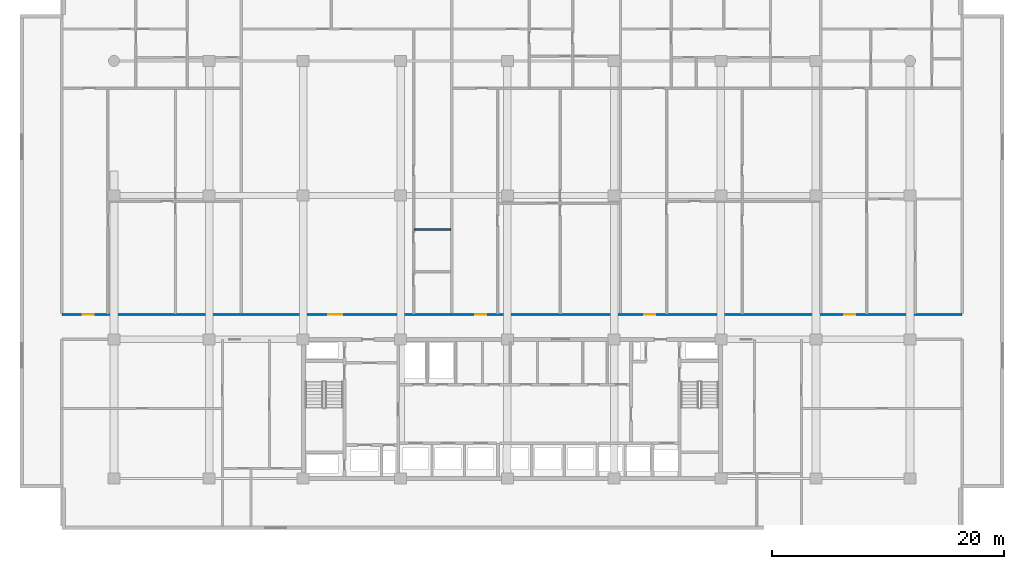
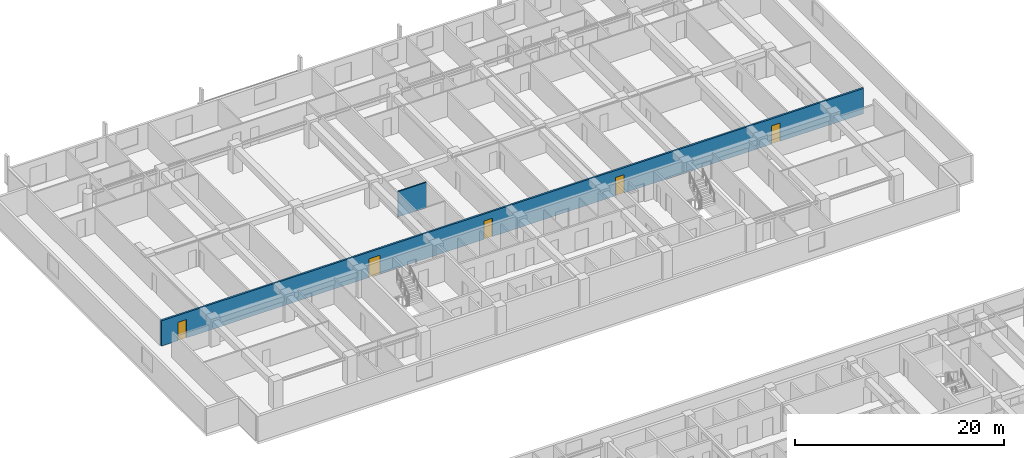
# One storey, part 12 of 23: 5 doors, 2 walls, 5 openings.
"""IFC4 building model written with IfcOpenShell, lengths in metres."""

import ifcopenshell
import ifcopenshell.guid

model = None  # the IFC model being written
_history = None  # IfcOwnerHistory: only IFC2X3 demands one
_inside = {}  # id of a spatial element -> (the spatial element, [elements in it])
_under = {}  # id of a project, library or spatial element -> (it, [spatial elements below it])
_declared = {}  # id of a project -> (the project, [libraries it declares])
_typed = {}  # id of a type object -> (the type object, [elements of that type])
_made_of = {}  # id of a material, layer set ... -> (it, [elements and type objects made of it])


def new_model(schema):
    """Start an empty IFC model of exactly this schema.

    Asked for "IFC4X3", IfcOpenShell would pick the latest addendum, in which some entities
    have other attributes; the version numbers below select the first issue.
    IFC2X3 requires an IfcOwnerHistory on every rooted entity: one is made here for all.
    """
    global model, _history
    if schema == "IFC4X3":
        model = ifcopenshell.file(schema_version=(4, 3, 0, 0))
    else:
        model = ifcopenshell.file(schema=schema)
    _inside.clear()
    _under.clear()
    _declared.clear()
    _typed.clear()
    _made_of.clear()
    _history = None
    if model.schema == "IFC2X3":
        org = make("IfcOrganization", Name="unknown")
        user = make(
            "IfcPersonAndOrganization",
            ThePerson=make("IfcPerson", FamilyName="unknown"),
            TheOrganization=org,
        )
        app = make(
            "IfcApplication",
            ApplicationDeveloper=org,
            Version="unknown",
            ApplicationFullName="unknown",
            ApplicationIdentifier="unknown",
        )
        _history = make(
            "IfcOwnerHistory",
            OwningUser=user,
            OwningApplication=app,
            ChangeAction="ADDED",
            CreationDate=0,
        )
    return model


def make(cls, **values):
    """One entity of the class cls with the attributes given. An attribute that is None is left unset."""
    return model.create_entity(
        cls, **{name: value for name, value in values.items() if value is not None}
    )


def rooted(cls, **values):
    """An entity with a GlobalId (a new one), such as an element, a storey or a relation."""
    return make(cls, GlobalId=ifcopenshell.guid.new(), OwnerHistory=_history, **values)


def si_unit(unit_type, name, prefix=None):
    """IfcSIUnit, for example si_unit("LENGTHUNIT", "METRE", prefix="MILLI")."""
    return make("IfcSIUnit", UnitType=unit_type, Prefix=prefix, Name=name)


def assignment(units):
    """IfcUnitAssignment: the units of a project."""
    return None if units is None else make("IfcUnitAssignment", Units=units)


def point(xyz):
    """IfcCartesianPoint."""
    return None if xyz is None else make("IfcCartesianPoint", Coordinates=xyz)


def direction(xyz):
    """IfcDirection."""
    return None if xyz is None else make("IfcDirection", DirectionRatios=xyz)


def frame(location, z_axis=None, x_axis=None):
    """IfcAxis2Placement3D, a coordinate frame: its origin and axes. An axis left out is left unset."""
    return make(
        "IfcAxis2Placement3D",
        Location=point(location),
        Axis=direction(z_axis),
        RefDirection=direction(x_axis),
    )


def frame_2d(location, x_axis=None):
    """IfcAxis2Placement2D, a coordinate frame in the plane: its origin and x axis."""
    return make(
        "IfcAxis2Placement2D", Location=point(location), RefDirection=direction(x_axis)
    )


def origin():
    """The frame at (0, 0, 0) with its axes left unset."""
    return frame((0.0, 0.0, 0.0))


def place(relative_to, where):
    """IfcLocalPlacement: puts the frame where relative to a parent placement (None: the world)."""
    return make(
        "IfcLocalPlacement", PlacementRelTo=relative_to, RelativePlacement=where
    )


def context(
    kind, dimensions, precision=None, world=None, true_north=None, identifier=None
):
    """IfcGeometricRepresentationContext, for example the 3D "Model" context."""
    return make(
        "IfcGeometricRepresentationContext",
        ContextIdentifier=identifier,
        ContextType=kind,
        CoordinateSpaceDimension=dimensions,
        Precision=precision,
        WorldCoordinateSystem=world,
        TrueNorth=true_north,
    )


def subcontext(parent, identifier, kind, view, scale=None):
    """IfcGeometricRepresentationSubContext, for example "Body" below "Model"."""
    return make(
        "IfcGeometricRepresentationSubContext",
        ContextIdentifier=identifier,
        ContextType=kind,
        ParentContext=parent,
        TargetScale=scale,
        TargetView=view,
    )


def project(units=None, contexts=None):
    """IfcProject with its units and contexts."""
    return rooted(
        "IfcProject",
        Name="project",
        RepresentationContexts=contexts,
        UnitsInContext=assignment(units),
    )


def spatial(cls, under=None, at=None, **own):
    """A site, building, storey or space (cls), placed at a placement, below another one or the project."""
    s = rooted(cls, ObjectPlacement=at, **own)
    if under is not None:
        _under.setdefault(under.id(), (under, []))[1].append(s)
    return s


def profile(cls, at=None, kind="AREA", **sizes):
    """A parametric profile (cls). Its sizes go by their IFC names, for example OverallWidth=200.0."""
    return make(cls, ProfileType=kind, Position=at, **sizes)


def rectangle(**sizes):
    """IfcRectangleProfileDef."""
    return profile("IfcRectangleProfileDef", **sizes)


def extrude(swept, where, along, depth):
    """IfcExtrudedAreaSolid: the profile swept, set in the frame where, extruded along a direction by depth."""
    return make(
        "IfcExtrudedAreaSolid",
        SweptArea=swept,
        Position=where,
        ExtrudedDirection=direction(along),
        Depth=depth,
    )


def shape(context_of_items, identifier, shape_type, items):
    """IfcShapeRepresentation: the items that make up one representation, for example the "Body"."""
    return make(
        "IfcShapeRepresentation",
        ContextOfItems=context_of_items,
        RepresentationIdentifier=identifier,
        RepresentationType=shape_type,
        Items=items,
    )


def material(Name=None, Category=None):
    """IfcMaterial."""
    return make("IfcMaterial", Name=Name, Category=Category)


def layer(
    of_material, thickness, ventilated=None, Name=None, Category=None, Priority=None
):
    """IfcMaterialLayer: one layer of a wall or slab, of a material (None: an air gap)."""
    return make(
        "IfcMaterialLayer",
        Material=of_material,
        LayerThickness=thickness,
        IsVentilated=ventilated,
        Name=Name,
        Category=Category,
        Priority=Priority,
    )


def layer_set(layers, Name=None):
    """IfcMaterialLayerSet."""
    return make("IfcMaterialLayerSet", MaterialLayers=layers, LayerSetName=Name)


def made_of(thing, what):
    """Note that an element or type object is made of a material, layer set ...; save() writes the relation."""
    if what is not None:
        _made_of.setdefault(what.id(), (what, []))[1].append(thing)
    return thing


def type_object(cls, material=None, **own):
    """A type object (cls), such as IfcWallType, which elements share."""
    return made_of(rooted(cls, **own), material)


def element(
    cls,
    number,
    at=None,
    inside=None,
    cuts=None,
    type_object=None,
    material=None,
    context=None,
    identifier="Body",
    shape_type=None,
    held_by="IfcProductDefinitionShape",
    body=None,
    shapes=None,
    **own,
):
    """One element of the class cls, such as IfcWall. Its Tag is "e" and its number.

    at: its placement. inside: the storey or other place that contains it. cuts: it is an
    opening in that element (IfcRelVoidsElement). A single representation is given by context,
    identifier, shape_type and body (its items); several are given by shapes. held_by: the class
    of the entity that holds the representations. save() writes the other relations.
    """
    e = rooted(cls, Tag="e%d" % number, ObjectPlacement=at, **own)
    if body is not None:
        shapes = [shape(context, identifier, shape_type, body)]
    if shapes is not None:
        e.Representation = make(held_by, Representations=shapes)
    if inside is not None:
        _inside.setdefault(inside.id(), (inside, []))[1].append(e)
    if cuts is not None:
        rooted(
            "IfcRelVoidsElement", RelatingBuildingElement=cuts, RelatedOpeningElement=e
        )
    if type_object is not None:
        _typed.setdefault(type_object.id(), (type_object, []))[1].append(e)
    return made_of(e, material)


def fill(opening, filler):
    """IfcRelFillsElement: the door or window that sits in an opening."""
    return rooted(
        "IfcRelFillsElement",
        RelatingOpeningElement=opening,
        RelatedBuildingElement=filler,
    )


def aggregate(whole, parts):
    """IfcRelAggregates: a whole, such as a stair, and the parts it consists of."""
    return rooted("IfcRelAggregates", RelatingObject=whole, RelatedObjects=parts)


def save(model, path):
    """Write the relations noted so far, then the file.

    IfcRelAggregates (storeys below a building ...), IfcRelContainedInSpatialStructure (elements
    in a storey), IfcRelDefinesByType, IfcRelAssociatesMaterial and IfcRelDeclares: one each for
    every whole, place, type object, material and project.
    """
    for whole, parts in _under.values():
        aggregate(whole, parts)
    for where, things in _inside.values():
        rooted(
            "IfcRelContainedInSpatialStructure",
            RelatedElements=things,
            RelatingStructure=where,
        )
    for kind, things in _typed.values():
        rooted("IfcRelDefinesByType", RelatedObjects=things, RelatingType=kind)
    for what, things in _made_of.values():
        rooted("IfcRelAssociatesMaterial", RelatedObjects=things, RelatingMaterial=what)
    for by, libraries in _declared.values():
        rooted("IfcRelDeclares", RelatingContext=by, RelatedDefinitions=libraries)
    model.write(path)


model = new_model("IFC4")

# Units and contexts
model_context = context("Model", 3, precision=1e-05, world=origin(), true_north=direction((0.0, 1.0)))
body_context = subcontext(model_context, "Body", "Model", "MODEL_VIEW")
ifc_project = project(units=[si_unit("LENGTHUNIT", "METRE"), si_unit("AREAUNIT", "SQUARE_METRE"), si_unit("VOLUMEUNIT", "CUBIC_METRE"), si_unit("PLANEANGLEUNIT", "RADIAN"), si_unit("MASSUNIT", "GRAM", prefix="KILO")], contexts=[model_context])

# Site, building, storey
site_placement = place(None, origin())
site = spatial("IfcSite", under=ifc_project, at=site_placement, CompositionType="ELEMENT")
building_placement = place(site_placement, origin())
building = spatial("IfcBuilding", under=site, at=building_placement, Name="Korimba Cascade Residences", CompositionType="ELEMENT")
storey_placement = place(building_placement, frame((0.0, 0.0, 50.0)))
storey = spatial("IfcBuildingStorey", under=building, at=storey_placement, Name="L13", CompositionType="ELEMENT", Elevation=50.0)

# Wall, openings, doors
ifc_material_1 = material(Name="Precast concrete C40/50", Category="concrete")
ifc_layer_1 = layer(ifc_material_1, 0.199951171875)
ifc_layer_set_1 = layer_set([ifc_layer_1], Name="Precast concrete C40/50")
wall_type_1 = type_object("IfcWallType", Name="WAL-IT-200", PredefinedType="PARTITIONING", material=ifc_layer_set_1)
wall_1_placement = place(storey_placement, frame((55.300048828125, 69.35009765625, 0.0), z_axis=(0.0, 0.0, 1.0), x_axis=(1.0, 0.0, 0.0)))
wall_1 = element("IfcWall", 1, at=wall_1_placement, inside=storey, type_object=wall_type_1, Name="L13 Partition Wall WAL-L13-T1-CORN", PredefinedType="PARTITIONING", context=body_context, shape_type="SweptSolid", body=[
    extrude(rectangle(XDim=77.599853515625, YDim=0.199951171875, at=frame_2d((38.7998046875, 0.0))), origin(), (0.0, 0.0, 1.0), 2.969970703125),
])
opening_1_placement = place(wall_1_placement, frame((1.81005859375, 0.0, 0.0)))
opening_1 = element("IfcOpeningElement", 2, at=opening_1_placement, cuts=wall_1, Name="Opening D-UN1", PredefinedType="OPENING", context=body_context, shape_type="SweptSolid", body=[
    extrude(rectangle(XDim=0.949951171875, YDim=2.14990234375, at=frame_2d((0.47509765625, 1.074951171875))), frame((0.0, 0.10986328125, 0.0), z_axis=(0.0, -1.0, 0.0), x_axis=(1.0, 0.0, 0.0)), (0.0, 0.0, 1.0), 0.219970703125),
])
opening_2_placement = place(wall_1_placement, frame((22.94970703125, 0.0, 0.0)))
opening_2 = element("IfcOpeningElement", 3, at=opening_2_placement, cuts=wall_1, Name="Opening D-AM1", PredefinedType="OPENING", context=body_context, shape_type="SweptSolid", body=[
    extrude(rectangle(XDim=1.219970703125, YDim=2.179931640625, at=frame_2d((0.60986328125, 1.08984375))), frame((0.0, 0.10986328125, 0.0), z_axis=(0.0, -1.0, 0.0), x_axis=(1.0, 0.0, 0.0)), (0.0, 0.0, 1.0), 0.219970703125),
])
opening_3_placement = place(wall_1_placement, frame((35.639404296875, 0.0, 0.0)))
opening_3 = element("IfcOpeningElement", 4, at=opening_3_placement, cuts=wall_1, Name="Opening D-UN1", PredefinedType="OPENING", context=body_context, shape_type="SweptSolid", body=[
    extrude(rectangle(XDim=0.949951171875, YDim=2.14990234375, at=frame_2d((0.47509765625, 1.074951171875))), frame((0.0, 0.10986328125, 0.0), z_axis=(0.0, -1.0, 0.0), x_axis=(1.0, 0.0, 0.0)), (0.0, 0.0, 1.0), 0.219970703125),
])
opening_4_placement = place(wall_1_placement, frame((50.202392578125, 0.0, 0.0)))
opening_4 = element("IfcOpeningElement", 5, at=opening_4_placement, cuts=wall_1, Name="Opening D-UN1", PredefinedType="OPENING", context=body_context, shape_type="SweptSolid", body=[
    extrude(rectangle(XDim=0.949951171875, YDim=2.14990234375, at=frame_2d((0.47509765625, 1.074951171875))), frame((0.0, 0.10986328125, 0.0), z_axis=(0.0, -1.0, 0.0), x_axis=(1.0, 0.0, 0.0)), (0.0, 0.0, 1.0), 0.219970703125),
])
opening_5_placement = place(wall_1_placement, frame((67.44970703125, 0.0, 0.0)))
opening_5 = element("IfcOpeningElement", 6, at=opening_5_placement, cuts=wall_1, Name="Opening D-UN1", PredefinedType="OPENING", context=body_context, shape_type="SweptSolid", body=[
    extrude(rectangle(XDim=0.949951171875, YDim=2.14990234375, at=frame_2d((0.47509765625, 1.074951171875))), frame((0.0, 0.10986328125, 0.0), z_axis=(0.0, -1.0, 0.0), x_axis=(1.0, 0.0, 0.0)), (0.0, 0.0, 1.0), 0.219970703125),
])
ifc_material_2 = material(Name="Fire-Rated Glazed Timber Suite Door", Category="wood")
door_type_1 = type_object("IfcDoorType", Name="DR-FD60-1200", OperationType="NOTDEFINED", PredefinedType="DOOR", material=ifc_material_2)
door_1_placement = place(opening_2_placement, origin())
door_1 = element("IfcDoor", 7, at=door_1_placement, inside=storey, type_object=door_type_1, Name="L13-T1-U02 Resident Conference Room Door", OperationType="SINGLE_SWING_RIGHT", OverallHeight=2.179931640625, OverallWidth=1.219970703125, PredefinedType="DOOR", context=body_context, shape_type="SweptSolid", body=[
    extrude(rectangle(XDim=1.219970703125, YDim=2.179931640625, at=frame_2d((0.60986328125, 1.08984375))), frame((0.0, 0.02490234375, 0.0), z_axis=(0.0, -1.0, 0.0), x_axis=(1.0, 0.0, 0.0)), (0.0, 0.0, 1.0), 0.050048828125),
])
fill(opening_2, door_1)
ifc_material_3 = material(Name="Fire-Rated Hardwood Apartment Entrance Door", Category="wood")
door_type_2 = type_object("IfcDoorType", Name="DR-FD60-950", OperationType="NOTDEFINED", PredefinedType="DOOR", material=ifc_material_3)
door_2_placement = place(opening_1_placement, origin())
door_2 = element("IfcDoor", 8, at=door_2_placement, inside=storey, type_object=door_type_2, Name="Unit L13-T1-U01 Entrance Door", OperationType="SINGLE_SWING_LEFT", OverallHeight=2.14990234375, OverallWidth=0.949951171875, PredefinedType="DOOR", context=body_context, shape_type="SweptSolid", body=[
    extrude(rectangle(XDim=0.949951171875, YDim=2.14990234375, at=frame_2d((0.47509765625, 1.074951171875))), frame((0.0, 0.02490234375, 0.0), z_axis=(0.0, -1.0, 0.0), x_axis=(1.0, 0.0, 0.0)), (0.0, 0.0, 1.0), 0.050048828125),
])
fill(opening_1, door_2)
door_3_placement = place(opening_3_placement, origin())
door_3 = element("IfcDoor", 9, at=door_3_placement, inside=storey, type_object=door_type_2, Name="Unit L13-T1-U03 Entrance Door", OperationType="SINGLE_SWING_LEFT", OverallHeight=2.14990234375, OverallWidth=0.949951171875, PredefinedType="DOOR", context=body_context, shape_type="SweptSolid", body=[
    extrude(rectangle(XDim=0.949951171875, YDim=2.14990234375, at=frame_2d((0.47509765625, 1.074951171875))), frame((0.0, 0.02490234375, 0.0), z_axis=(0.0, -1.0, 0.0), x_axis=(1.0, 0.0, 0.0)), (0.0, 0.0, 1.0), 0.050048828125),
])
fill(opening_3, door_3)
door_4_placement = place(opening_4_placement, origin())
door_4 = element("IfcDoor", 10, at=door_4_placement, inside=storey, type_object=door_type_2, Name="Unit L13-T1-U04 Entrance Door", OperationType="SINGLE_SWING_RIGHT", OverallHeight=2.14990234375, OverallWidth=0.949951171875, PredefinedType="DOOR", context=body_context, shape_type="SweptSolid", body=[
    extrude(rectangle(XDim=0.949951171875, YDim=2.14990234375, at=frame_2d((0.47509765625, 1.074951171875))), frame((0.0, 0.02490234375, 0.0), z_axis=(0.0, -1.0, 0.0), x_axis=(1.0, 0.0, 0.0)), (0.0, 0.0, 1.0), 0.050048828125),
])
fill(opening_4, door_4)
door_5_placement = place(opening_5_placement, origin())
door_5 = element("IfcDoor", 11, at=door_5_placement, inside=storey, type_object=door_type_2, Name="Unit L13-T1-U05 Entrance Door", OperationType="SINGLE_SWING_LEFT", OverallHeight=2.14990234375, OverallWidth=0.949951171875, PredefinedType="DOOR", context=body_context, shape_type="SweptSolid", body=[
    extrude(rectangle(XDim=0.949951171875, YDim=2.14990234375, at=frame_2d((0.47509765625, 1.074951171875))), frame((0.0, 0.02490234375, 0.0), z_axis=(0.0, -1.0, 0.0), x_axis=(1.0, 0.0, 0.0)), (0.0, 0.0, 1.0), 0.050048828125),
])
fill(opening_5, door_5)

# Wall
ifc_material_4 = material(Name="Insulated Acoustic Stud Partition", Category="gypsum")
ifc_layer_2 = layer(ifc_material_4, 0.14990234375)
ifc_layer_set_2 = layer_set([ifc_layer_2], Name="Insulated Acoustic Stud Partition")
wall_type_2 = type_object("IfcWallType", Name="WAL-PART-150", PredefinedType="PARTITIONING", material=ifc_layer_set_2)
wall_2_placement = place(storey_placement, frame((85.684326171875, 76.669921875, 0.0), z_axis=(0.0, 0.0, 1.0), x_axis=(1.0, 0.0, 0.0)))
element("IfcWall", 12, at=wall_2_placement, inside=storey, type_object=wall_type_2, Name="L13 Partition Wall WAL-L13-T1-U02-WCH2", PredefinedType="PARTITIONING", context=body_context, shape_type="SweptSolid", body=[
    extrude(rectangle(XDim=3.1298828125, YDim=0.14990234375, at=frame_2d((1.56494140625, 0.0))), origin(), (0.0, 0.0, 1.0), 2.969970703125),
])

save(model, "model.ifc")
